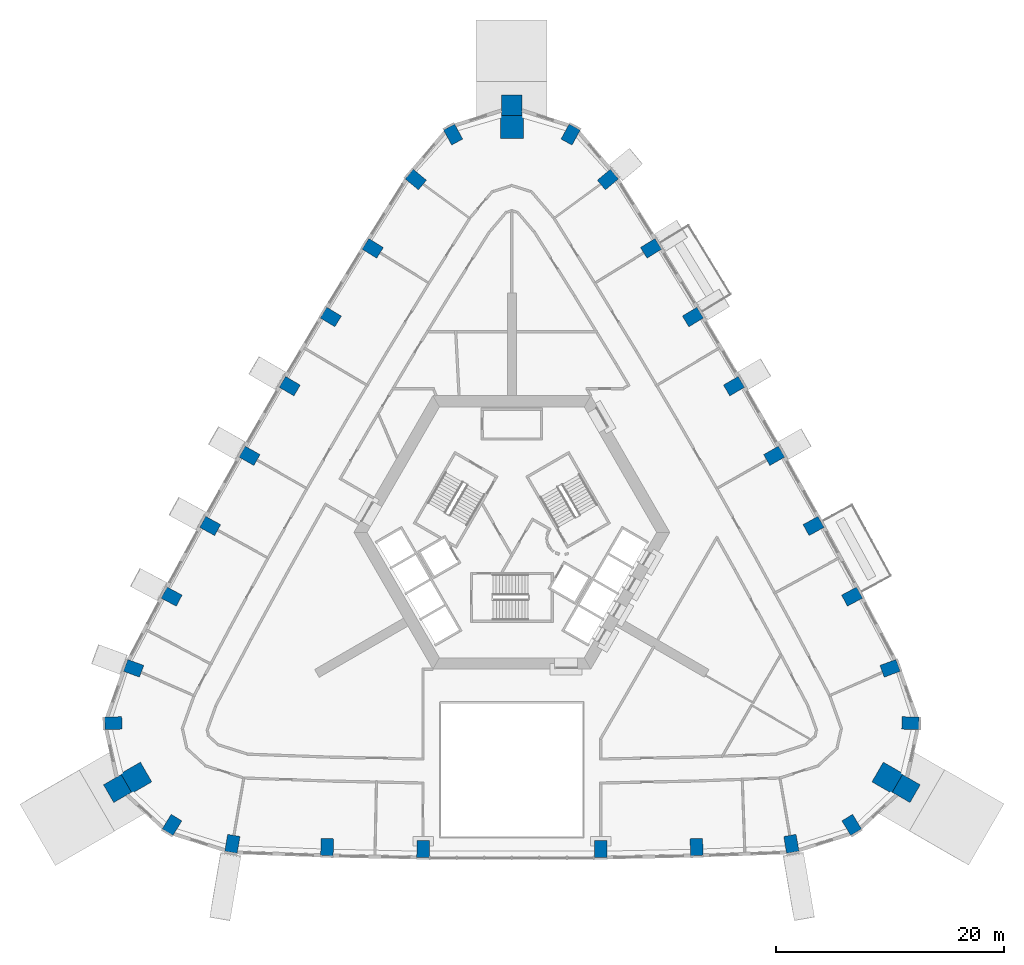
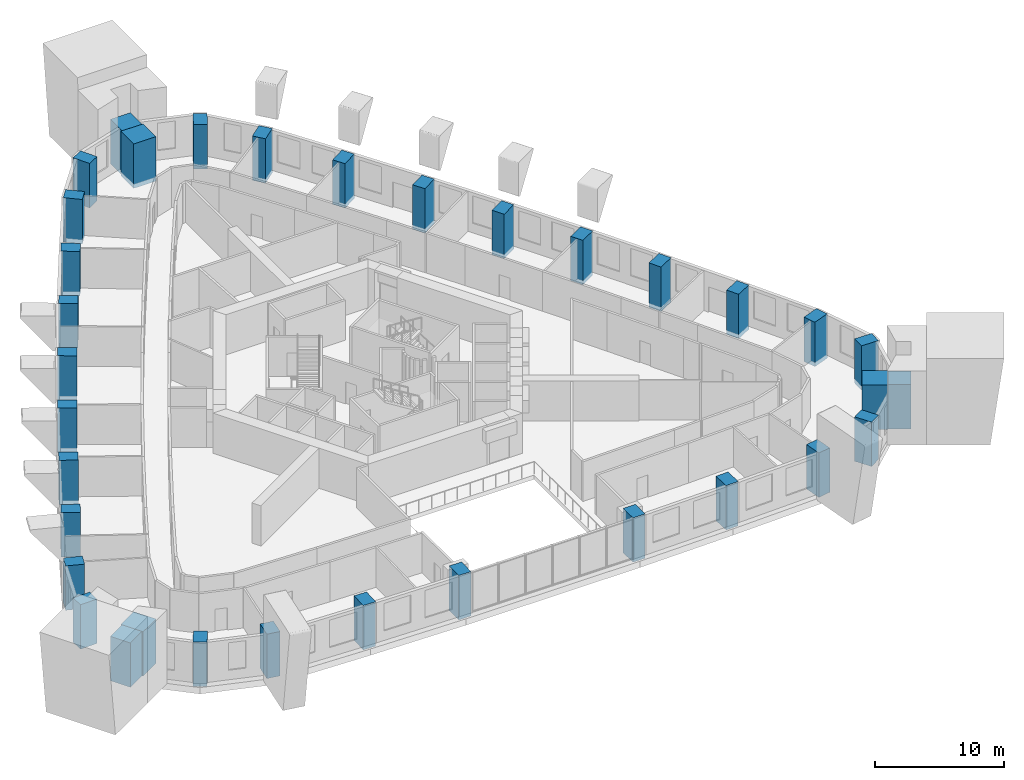
# One storey, part 1 of 14: 34 columns.
"""IFC4 building model written with IfcOpenShell, lengths in metres."""

from ifc_helpers import new_model, si_unit, direction, frame, origin, origin_2d, place, context, subcontext, project, spatial, rectangle, extrude, material, material_profile, profile_set, type_object, element, save


model = new_model("IFC4")

# Units and contexts
model_context = context("Model", 3, precision=1e-05, world=origin(), true_north=direction((0.0, 1.0)))
body_context = subcontext(model_context, "Body", "Model", "MODEL_VIEW")
ifc_project = project(units=[si_unit("LENGTHUNIT", "METRE"), si_unit("AREAUNIT", "SQUARE_METRE"), si_unit("VOLUMEUNIT", "CUBIC_METRE"), si_unit("PLANEANGLEUNIT", "RADIAN"), si_unit("MASSUNIT", "GRAM", prefix="KILO")], contexts=[model_context])

# Site, building, storey
site_placement = place(None, origin())
site = spatial("IfcSite", under=ifc_project, at=site_placement, CompositionType="ELEMENT")
building_placement = place(site_placement, origin())
building = spatial("IfcBuilding", under=site, at=building_placement, Name="Entoto Arch Interchange Tower", CompositionType="ELEMENT")
storey_placement = place(building_placement, frame((0.0, 0.0, 176.0)))
storey = spatial("IfcBuildingStorey", under=building, at=storey_placement, Name="L39", CompositionType="ELEMENT", Elevation=176.0)

# Columns
ifc_material_1 = material(Name="Concrete C50/60", Category="concrete")
ifc_material_profile_1 = material_profile(ifc_material_1, rectangle(XDim=1.10009765625, YDim=1.5, at=origin_2d()))
ifc_profile_set_1 = profile_set([ifc_material_profile_1], Name="Concrete C50/60")
column_type_1 = type_object("IfcColumnType", Name="Column RC 1100x1500 C50/60", PredefinedType="COLUMN", material=ifc_profile_set_1)
for number, where, z_axis, x_axis, name in (
    (1, (-24.51806640625, -24.824951171875, -0.39990234375), (0.0, 0.0, 1.0), (-0.985753417505, 0.168196908046, 0.0), "Column S01 L39"),
    (2, (-16.205078125, -25.113037109375, -0.39990234375), (0.0, 0.0, 1.0), (-0.999496089207, 0.031742206272, 0.0), "Column S02 L39"),
    (3, (-7.7890625, -25.2890625, -0.39990234375), (0.0, 0.0, 1.0), (-0.999931015761, 0.011745795767, 0.0), "Column S03 L39"),
    (4, (7.7890625, -25.2890625, -0.39990234375), (0.0, 0.0, 1.0), (0.999931015761, 0.011745795767, 0.0), "Column S04 L39"),
    (5, (16.205078125, -25.113037109375, -0.39990234375), (0.0, 0.0, 1.0), (0.999496089207, 0.031742206272, 0.0), "Column S05 L39"),
    (6, (24.51806640625, -24.824951171875, -0.39990234375), (0.0, 0.0, 1.0), (0.985753417505, 0.168196908046, 0.0), "Column S06 L39"),
    (7, (29.81201171875, -23.1630859375, -0.39990234375), (0.0, 0.0, 1.0), (0.853714435155, 0.520741455243, 0.0), "Column SE1 L39"),
    (8, (34.965087890625, -14.236083984375, -0.39990234375), (0.0, 0.0, 1.0), (0.024118111467, 0.999709116043, 0.0), "Column SE3 L39"),
    (9, (33.18310546875, -9.428955078125, -0.39990234375), (0.0, 0.0, 1.0), (-0.346591874029, 0.93801603017, 0.0), "Column NE01 L39"),
    (10, (29.846923828125, -3.137939453125, -0.39990234375), (0.0, 0.0, 1.0), (-0.469856776649, 0.882742663202, 0.0), "Column NE02 L39"),
    (11, (26.468017578125, 3.05908203125, -0.39990234375), (0.0, 0.0, 1.0), (-0.481983074142, 0.876180527198, 0.0), "Column NE03 L39"),
    (12, (23.014892578125, 9.214111328125, -0.39990234375), (0.0, 0.0, 1.0), (-0.49401774245, 0.869451821635, 0.0), "Column NE04 L39"),
    (13, (19.488037109375, 15.325927734375, -0.39990234375), (0.0, 0.0, 1.0), (-0.505958493678, 0.8625578257, 0.0), "Column NE05 L39"),
    (14, (15.884033203125, 21.39306640625, -0.39990234375), (0.0, 0.0, 1.0), (-0.517803057784, 0.85549985, 0.0), "Column NE06 L39"),
    (15, (12.2060546875, 27.416015625, -0.39990234375), (0.0, 0.0, 1.0), (-0.529549183013, 0.848279236319, 0.0), "Column NE07 L39"),
    (16, (8.426025390625, 33.451904296875, -0.39990234375), (0.0, 0.0, 1.0), (-0.63904977427, 0.76916538274, 0.0), "Column NE08 L39"),
    (17, (5.154052734375, 37.39892578125, -0.39990234375), (0.0, 0.0, 1.0), (-0.877832546621, 0.4789676608, 0.0), "Column N1 L39"),
    (18, (-5.154052734375, 37.39892578125, -0.39990234375), (0.0, 0.0, 1.0), (0.877832546621, 0.4789676608, 0.0), "Column N3 L39"),
    (19, (-8.426025390625, 33.451904296875, -0.39990234375), (0.0, 0.0, 1.0), (0.63904977427, 0.76916538274, 0.0), "Column NW01 L39"),
    (20, (-12.2060546875, 27.416015625, -0.39990234375), (0.0, 0.0, 1.0), (0.529549183013, 0.848279236319, 0.0), "Column NW02 L39"),
    (21, (-15.884033203125, 21.39306640625, -0.39990234375), (0.0, 0.0, 1.0), (0.517803057784, 0.85549985, 0.0), "Column NW03 L39"),
    (22, (-19.488037109375, 15.325927734375, -0.39990234375), (0.0, 0.0, 1.0), (0.505958493678, 0.8625578257, 0.0), "Column NW04 L39"),
    (23, (-23.014892578125, 9.214111328125, -0.39990234375), (0.0, 0.0, 1.0), (0.49401774245, 0.869451821635, 0.0), "Column NW05 L39"),
    (24, (-26.468017578125, 3.05908203125, -0.39990234375), (0.0, 0.0, 1.0), (0.481983074142, 0.876180527198, 0.0), "Column NW06 L39"),
    (25, (-29.846923828125, -3.137939453125, -0.39990234375), (0.0, 0.0, 1.0), (0.469856776649, 0.882742663202, 0.0), "Column NW07 L39"),
    (26, (-33.18310546875, -9.428955078125, -0.39990234375), (0.0, 0.0, 1.0), (0.346591874029, 0.93801603017, 0.0), "Column NW08 L39"),
    (27, (-34.965087890625, -14.236083984375, -0.39990234375), (0.0, 0.0, 1.0), (-0.024118111467, 0.999709116043, 0.0), "Column SW1 L39"),
    (28, (-29.81201171875, -23.1630859375, -0.39990234375), (0.0, 0.0, 1.0), (-0.853714435155, 0.520741455243, 0.0), "Column SW3 L39"),
):
    element("IfcColumn", number, at=place(storey_placement, frame(where, z_axis=z_axis, x_axis=x_axis)), inside=storey, type_object=column_type_1, Name=name, PredefinedType="COLUMN", context=body_context, shape_type="SweptSolid", body=[
        extrude(rectangle(XDim=1.10009765625, YDim=1.5, at=origin_2d()), origin(), (0.0, 0.0, 1.0), 4.199951171875),
    ])
ifc_material_2 = material(Name="Precast concrete C40/50", Category="concrete")
ifc_material_profile_2 = material_profile(ifc_material_2, rectangle(XDim=1.800048828125, YDim=1.800048828125, at=origin_2d()))
ifc_profile_set_2 = profile_set([ifc_material_profile_2], Name="Precast concrete C40/50")
column_type_2 = type_object("IfcColumnType", Name="Frame post RC 1800x1800 precast C40/50", PredefinedType="COLUMN", material=ifc_profile_set_2)
for number, where, z_axis, x_axis, name in (
    (29, (34.59912109375, -19.97509765625, -0.39990234375), (0.0, 0.0, 1.0), (-0.866025403784, 0.5, 0.0), "Frame post SE L39"),
    (30, (0.0, 39.950927734375, -0.39990234375), (0.0, 0.0, 1.0), (0.0, 1.0, 0.0), "Frame post N L39"),
    (31, (-34.59912109375, -19.97509765625, -0.39990234375), (0.0, 0.0, 1.0), (0.866025403784, 0.5, 0.0), "Frame post SW L39"),
):
    element("IfcColumn", number, at=place(storey_placement, frame(where, z_axis=z_axis, x_axis=x_axis)), inside=storey, type_object=column_type_2, Name=name, PredefinedType="COLUMN", context=body_context, shape_type="SweptSolid", body=[
        extrude(rectangle(XDim=1.800048828125, YDim=1.800048828125, at=origin_2d()), origin(), (0.0, 0.0, 1.0), 4.199951171875),
    ])
ifc_material_profile_3 = material_profile(ifc_material_1, rectangle(XDim=2.0, YDim=2.0, at=origin_2d()))
ifc_profile_set_3 = profile_set([ifc_material_profile_3], Name="Concrete C50/60")
column_type_3 = type_object("IfcColumnType", Name="Mega column RC 2000x2000 C50/60", PredefinedType="COLUMN", material=ifc_profile_set_3)
for number, where, z_axis, x_axis, name in (
    (32, (32.9541015625, -19.02490234375, -0.39990234375), (0.0, 0.0, 1.0), (-0.866025403784, 0.5, 0.0), "Corner mega column SE2 L39"),
    (33, (0.0, 38.051025390625, -0.39990234375), (0.0, 0.0, 1.0), (0.0, 1.0, 0.0), "Corner mega column N2 L39"),
    (34, (-32.9541015625, -19.02490234375, -0.39990234375), (0.0, 0.0, 1.0), (0.866025403784, 0.5, 0.0), "Corner mega column SW2 L39"),
):
    element("IfcColumn", number, at=place(storey_placement, frame(where, z_axis=z_axis, x_axis=x_axis)), inside=storey, type_object=column_type_3, Name=name, PredefinedType="COLUMN", context=body_context, shape_type="SweptSolid", body=[
        extrude(rectangle(XDim=2.0, YDim=2.0, at=origin_2d()), origin(), (0.0, 0.0, 1.0), 4.199951171875),
    ])

save(model, "model.ifc")
